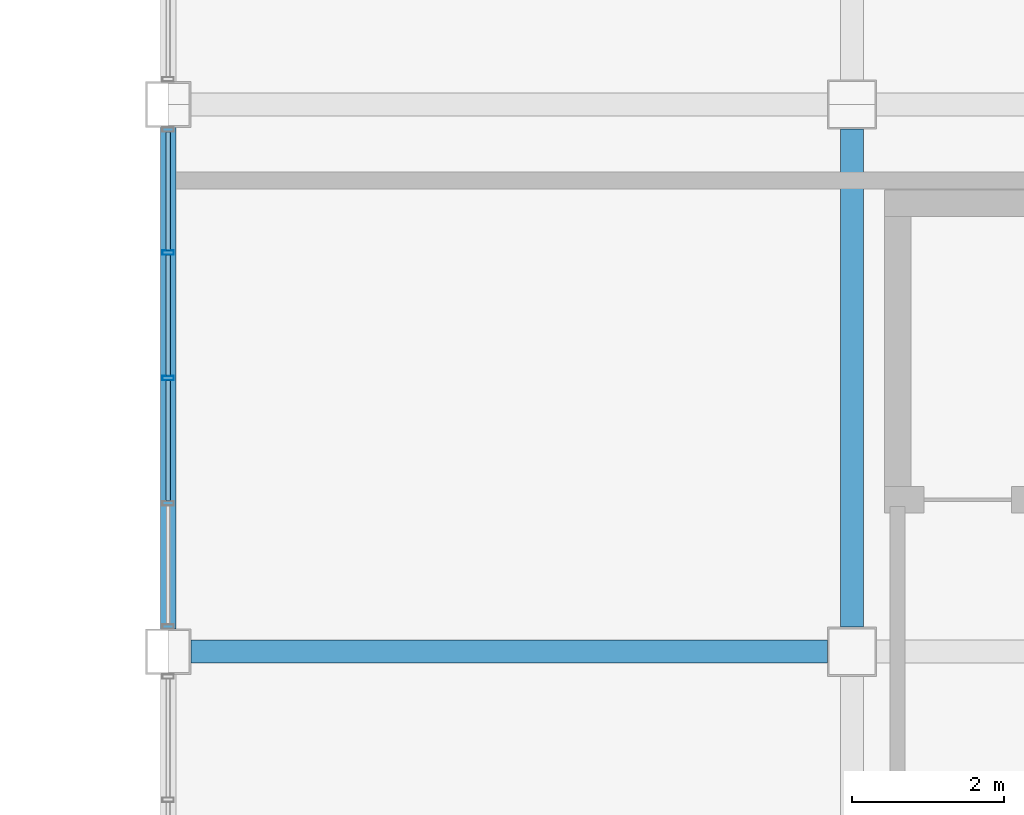
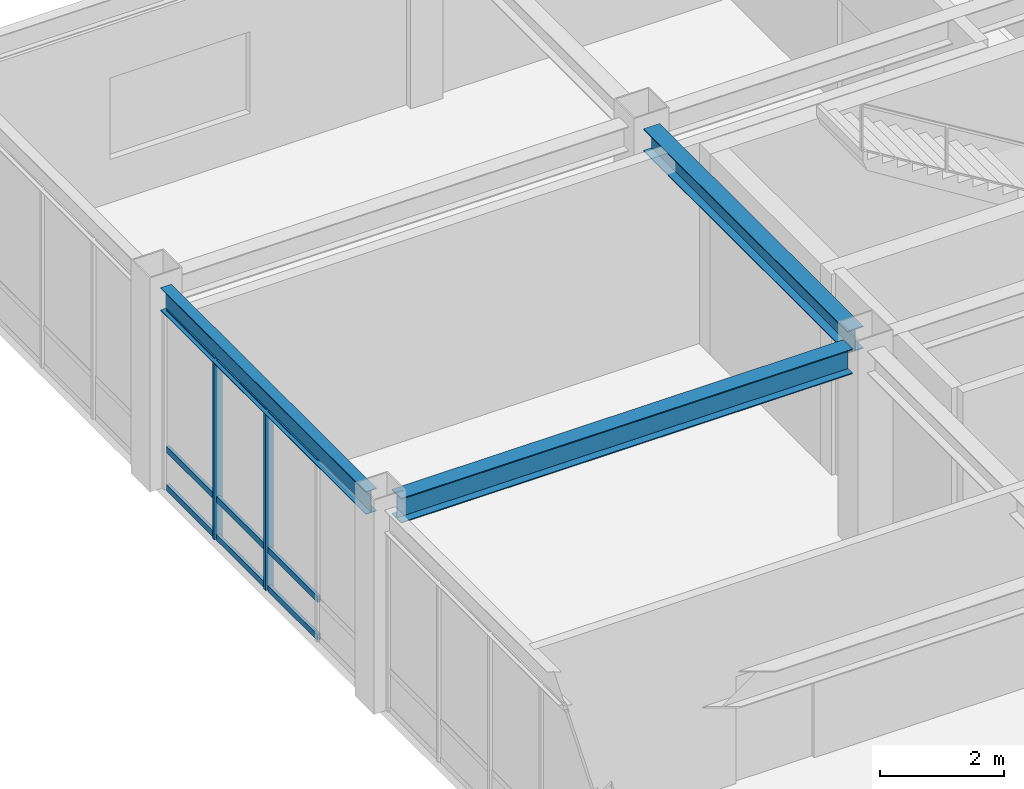
# One storey, part 53 of 106: 11 members, 3 beams, 1 element without a shape of its own.
"""IFC4 building model written with IfcOpenShell, lengths in metres."""

import ifcopenshell
import ifcopenshell.guid

model = None  # the IFC model being written
_history = None  # IfcOwnerHistory: only IFC2X3 demands one
_inside = {}  # id of a spatial element -> (the spatial element, [elements in it])
_under = {}  # id of a project, library or spatial element -> (it, [spatial elements below it])
_declared = {}  # id of a project -> (the project, [libraries it declares])
_typed = {}  # id of a type object -> (the type object, [elements of that type])
_made_of = {}  # id of a material, layer set ... -> (it, [elements and type objects made of it])


def new_model(schema):
    """Start an empty IFC model of exactly this schema.

    Asked for "IFC4X3", IfcOpenShell would pick the latest addendum, in which some entities
    have other attributes; the version numbers below select the first issue.
    IFC2X3 requires an IfcOwnerHistory on every rooted entity: one is made here for all.
    """
    global model, _history
    if schema == "IFC4X3":
        model = ifcopenshell.file(schema_version=(4, 3, 0, 0))
    else:
        model = ifcopenshell.file(schema=schema)
    _inside.clear()
    _under.clear()
    _declared.clear()
    _typed.clear()
    _made_of.clear()
    _history = None
    if model.schema == "IFC2X3":
        org = make("IfcOrganization", Name="unknown")
        user = make(
            "IfcPersonAndOrganization",
            ThePerson=make("IfcPerson", FamilyName="unknown"),
            TheOrganization=org,
        )
        app = make(
            "IfcApplication",
            ApplicationDeveloper=org,
            Version="unknown",
            ApplicationFullName="unknown",
            ApplicationIdentifier="unknown",
        )
        _history = make(
            "IfcOwnerHistory",
            OwningUser=user,
            OwningApplication=app,
            ChangeAction="ADDED",
            CreationDate=0,
        )
    return model


def make(cls, **values):
    """One entity of the class cls with the attributes given. An attribute that is None is left unset."""
    return model.create_entity(
        cls, **{name: value for name, value in values.items() if value is not None}
    )


def rooted(cls, **values):
    """An entity with a GlobalId (a new one), such as an element, a storey or a relation."""
    return make(cls, GlobalId=ifcopenshell.guid.new(), OwnerHistory=_history, **values)


def si_unit(unit_type, name, prefix=None):
    """IfcSIUnit, for example si_unit("LENGTHUNIT", "METRE", prefix="MILLI")."""
    return make("IfcSIUnit", UnitType=unit_type, Prefix=prefix, Name=name)


def assignment(units):
    """IfcUnitAssignment: the units of a project."""
    return None if units is None else make("IfcUnitAssignment", Units=units)


def point(xyz):
    """IfcCartesianPoint."""
    return None if xyz is None else make("IfcCartesianPoint", Coordinates=xyz)


def direction(xyz):
    """IfcDirection."""
    return None if xyz is None else make("IfcDirection", DirectionRatios=xyz)


def frame(location, z_axis=None, x_axis=None):
    """IfcAxis2Placement3D, a coordinate frame: its origin and axes. An axis left out is left unset."""
    return make(
        "IfcAxis2Placement3D",
        Location=point(location),
        Axis=direction(z_axis),
        RefDirection=direction(x_axis),
    )


def frame_2d(location, x_axis=None):
    """IfcAxis2Placement2D, a coordinate frame in the plane: its origin and x axis."""
    return make(
        "IfcAxis2Placement2D", Location=point(location), RefDirection=direction(x_axis)
    )


def origin():
    """The frame at (0, 0, 0) with its axes left unset."""
    return frame((0.0, 0.0, 0.0))


def origin_2d():
    """The frame at (0, 0) in the plane with its x axis left unset."""
    return frame_2d((0.0, 0.0))


def place(relative_to, where):
    """IfcLocalPlacement: puts the frame where relative to a parent placement (None: the world)."""
    return make(
        "IfcLocalPlacement", PlacementRelTo=relative_to, RelativePlacement=where
    )


def context(
    kind, dimensions, precision=None, world=None, true_north=None, identifier=None
):
    """IfcGeometricRepresentationContext, for example the 3D "Model" context."""
    return make(
        "IfcGeometricRepresentationContext",
        ContextIdentifier=identifier,
        ContextType=kind,
        CoordinateSpaceDimension=dimensions,
        Precision=precision,
        WorldCoordinateSystem=world,
        TrueNorth=true_north,
    )


def subcontext(parent, identifier, kind, view, scale=None):
    """IfcGeometricRepresentationSubContext, for example "Body" below "Model"."""
    return make(
        "IfcGeometricRepresentationSubContext",
        ContextIdentifier=identifier,
        ContextType=kind,
        ParentContext=parent,
        TargetScale=scale,
        TargetView=view,
    )


def project(units=None, contexts=None):
    """IfcProject with its units and contexts."""
    return rooted(
        "IfcProject",
        Name="project",
        RepresentationContexts=contexts,
        UnitsInContext=assignment(units),
    )


def spatial(cls, under=None, at=None, **own):
    """A site, building, storey or space (cls), placed at a placement, below another one or the project."""
    s = rooted(cls, ObjectPlacement=at, **own)
    if under is not None:
        _under.setdefault(under.id(), (under, []))[1].append(s)
    return s


def profile(cls, at=None, kind="AREA", **sizes):
    """A parametric profile (cls). Its sizes go by their IFC names, for example OverallWidth=200.0."""
    return make(cls, ProfileType=kind, Position=at, **sizes)


def hollow_rectangle(**sizes):
    """IfcRectangleHollowProfileDef."""
    return profile("IfcRectangleHollowProfileDef", **sizes)


def i_section(**sizes):
    """IfcIShapeProfileDef."""
    return profile("IfcIShapeProfileDef", **sizes)


def extrude(swept, where, along, depth):
    """IfcExtrudedAreaSolid: the profile swept, set in the frame where, extruded along a direction by depth."""
    return make(
        "IfcExtrudedAreaSolid",
        SweptArea=swept,
        Position=where,
        ExtrudedDirection=direction(along),
        Depth=depth,
    )


def shape(context_of_items, identifier, shape_type, items):
    """IfcShapeRepresentation: the items that make up one representation, for example the "Body"."""
    return make(
        "IfcShapeRepresentation",
        ContextOfItems=context_of_items,
        RepresentationIdentifier=identifier,
        RepresentationType=shape_type,
        Items=items,
    )


def material(Name=None, Category=None):
    """IfcMaterial."""
    return make("IfcMaterial", Name=Name, Category=Category)


def material_profile(
    of_material, cross_section, Name=None, Category=None, Priority=None
):
    """IfcMaterialProfile: a cross section and its material."""
    return make(
        "IfcMaterialProfile",
        Name=Name,
        Material=of_material,
        Profile=cross_section,
        Priority=Priority,
        Category=Category,
    )


def profile_set(profiles, Name=None, composite=None):
    """IfcMaterialProfileSet."""
    return make(
        "IfcMaterialProfileSet",
        Name=Name,
        MaterialProfiles=profiles,
        CompositeProfile=composite,
    )


def made_of(thing, what):
    """Note that an element or type object is made of a material, layer set ...; save() writes the relation."""
    if what is not None:
        _made_of.setdefault(what.id(), (what, []))[1].append(thing)
    return thing


def type_object(cls, material=None, **own):
    """A type object (cls), such as IfcWallType, which elements share."""
    return made_of(rooted(cls, **own), material)


def element(
    cls,
    number,
    at=None,
    inside=None,
    cuts=None,
    type_object=None,
    material=None,
    context=None,
    identifier="Body",
    shape_type=None,
    held_by="IfcProductDefinitionShape",
    body=None,
    shapes=None,
    **own,
):
    """One element of the class cls, such as IfcWall. Its Tag is "e" and its number.

    at: its placement. inside: the storey or other place that contains it. cuts: it is an
    opening in that element (IfcRelVoidsElement). A single representation is given by context,
    identifier, shape_type and body (its items); several are given by shapes. held_by: the class
    of the entity that holds the representations. save() writes the other relations.
    """
    e = rooted(cls, Tag="e%d" % number, ObjectPlacement=at, **own)
    if body is not None:
        shapes = [shape(context, identifier, shape_type, body)]
    if shapes is not None:
        e.Representation = make(held_by, Representations=shapes)
    if inside is not None:
        _inside.setdefault(inside.id(), (inside, []))[1].append(e)
    if cuts is not None:
        rooted(
            "IfcRelVoidsElement", RelatingBuildingElement=cuts, RelatedOpeningElement=e
        )
    if type_object is not None:
        _typed.setdefault(type_object.id(), (type_object, []))[1].append(e)
    return made_of(e, material)


def aggregate(whole, parts):
    """IfcRelAggregates: a whole, such as a stair, and the parts it consists of."""
    return rooted("IfcRelAggregates", RelatingObject=whole, RelatedObjects=parts)


def save(model, path):
    """Write the relations noted so far, then the file.

    IfcRelAggregates (storeys below a building ...), IfcRelContainedInSpatialStructure (elements
    in a storey), IfcRelDefinesByType, IfcRelAssociatesMaterial and IfcRelDeclares: one each for
    every whole, place, type object, material and project.
    """
    for whole, parts in _under.values():
        aggregate(whole, parts)
    for where, things in _inside.values():
        rooted(
            "IfcRelContainedInSpatialStructure",
            RelatedElements=things,
            RelatingStructure=where,
        )
    for kind, things in _typed.values():
        rooted("IfcRelDefinesByType", RelatedObjects=things, RelatingType=kind)
    for what, things in _made_of.values():
        rooted("IfcRelAssociatesMaterial", RelatedObjects=things, RelatingMaterial=what)
    for by, libraries in _declared.values():
        rooted("IfcRelDeclares", RelatingContext=by, RelatedDefinitions=libraries)
    model.write(path)


model = new_model("IFC4")

# Units and contexts
model_context = context("Model", 3, precision=1e-05, world=origin(), true_north=direction((0.0, 1.0)))
body_context = subcontext(model_context, "Body", "Model", "MODEL_VIEW")
ifc_project = project(units=[si_unit("LENGTHUNIT", "METRE"), si_unit("AREAUNIT", "SQUARE_METRE"), si_unit("VOLUMEUNIT", "CUBIC_METRE"), si_unit("PLANEANGLEUNIT", "RADIAN"), si_unit("MASSUNIT", "GRAM", prefix="KILO")], contexts=[model_context])

# Site, building, storey
site_placement = place(None, origin())
site = spatial("IfcSite", under=ifc_project, at=site_placement, CompositionType="ELEMENT")
building_placement = place(site_placement, origin())
building = spatial("IfcBuilding", under=site, at=building_placement, Name="Kazanami Central Library", CompositionType="ELEMENT")
storey_placement = place(building_placement, frame((0.0, 0.0, 12.800048828125)))
storey = spatial("IfcBuildingStorey", under=building, at=storey_placement, Name="L04", CompositionType="ELEMENT", Elevation=12.800048828125)

# Beams
ifc_material_1 = material(Name="Steel SN490B (325 MPa)", Category="steel")
ifc_material_profile_1 = material_profile(ifc_material_1, i_section(OverallWidth=0.300048828125, OverallDepth=0.488037109375, WebThickness=0.010986328125, FlangeThickness=0.01806640625, at=origin_2d()), Name="H-488x300x11x18")
ifc_profile_set_1 = profile_set([ifc_material_profile_1], Name="Steel SN490B (325 MPa)")
beam_type_1 = type_object("IfcBeamType", Name="BM-G-X5", PredefinedType="BEAM", material=ifc_profile_set_1)
beam_1_placement = place(storey_placement, frame((117.298095703125, 79.199951171875, 3.696044921875), z_axis=(1.0, 0.0, 0.0), x_axis=(0.0, 1.0, 0.0)))
element("IfcBeam", 1, at=beam_1_placement, inside=storey, type_object=beam_type_1, Name="Girder G-X5 L04 M/14-15", PredefinedType="BEAM", context=body_context, shape_type="SweptSolid", body=[
    extrude(i_section(OverallWidth=0.300048828125, OverallDepth=0.488037109375, WebThickness=0.010986328125, FlangeThickness=0.01806640625, at=origin_2d()), origin(), (0.0, 0.0, 1.0), 8.37890625),
])
ifc_material_profile_2 = material_profile(ifc_material_1, i_section(OverallWidth=0.300048828125, OverallDepth=0.43994140625, WebThickness=0.010986328125, FlangeThickness=0.01806640625, at=origin_2d()), Name="H-440x300x11x18")
ifc_profile_set_2 = profile_set([ifc_material_profile_2], Name="Steel SN490B (325 MPa)")
beam_type_2 = type_object("IfcBeamType", Name="BM-G-Y4", PredefinedType="BEAM", material=ifc_profile_set_2)
beam_2_placement = place(storey_placement, frame((126.0, 79.52294921875, 3.719970703125), z_axis=(0.0, 1.0, 0.0), x_axis=(-1.0, 0.0, 0.0)))
element("IfcBeam", 2, at=beam_2_placement, inside=storey, type_object=beam_type_2, Name="Girder G-Y4 L04 15/M-N", PredefinedType="BEAM", context=body_context, shape_type="SweptSolid", body=[
    extrude(i_section(OverallWidth=0.300048828125, OverallDepth=0.43994140625, WebThickness=0.010986328125, FlangeThickness=0.01806640625, at=origin_2d()), origin(), (0.0, 0.0, 1.0), 6.553955078125),
])
ifc_material_profile_3 = material_profile(ifc_material_1, i_section(OverallWidth=0.199951171875, OverallDepth=0.449951171875, WebThickness=0.009033203125, FlangeThickness=0.013916015625, at=origin_2d()), Name="H-450x200x9x14")
ifc_profile_set_3 = profile_set([ifc_material_profile_3], Name="Steel SN490B (325 MPa)")
beam_type_3 = type_object("IfcBeamType", Name="BM-SP-2", PredefinedType="SPANDREL", material=ifc_profile_set_3)
beam_3_placement = place(storey_placement, frame((117.0, 79.498046875, 3.71484375), z_axis=(0.0, 1.0, 0.0), x_axis=(-1.0, 0.0, 0.0)))
element("IfcBeam", 3, at=beam_3_placement, inside=storey, type_object=beam_type_3, Name="Girder SP-2 L04 14/M-N", PredefinedType="SPANDREL", context=body_context, shape_type="SweptSolid", body=[
    extrude(i_section(OverallWidth=0.199951171875, OverallDepth=0.449951171875, WebThickness=0.009033203125, FlangeThickness=0.013916015625, at=origin_2d()), origin(), (0.0, 0.0, 1.0), 6.60400390625),
])

# Curtain wall, members
ifc_material_2 = material(Name="Acid-Etched Low-E Laminated Glass", Category="glass")
curtain_wall_type = type_object("IfcCurtainWallType", Name="CW-6600x3490-M180", PredefinedType="USERDEFINED", material=ifc_material_2)
curtain_wall_placement = place(storey_placement, origin())
curtain_wall = element("IfcCurtainWall", 4, at=curtain_wall_placement, inside=storey, type_object=curtain_wall_type, Name="Covered Link Bridge Curtain Wall CW-48 L04 W-14-11", ObjectType="UNITISED CURTAIN WALL", PredefinedType="USERDEFINED")
ifc_material_3 = material(Name="Anodised Aluminium A6063-T5", Category="aluminium")
ifc_material_profile_4 = material_profile(ifc_material_3, hollow_rectangle(XDim=0.06005859375, YDim=0.14990234375, WallThickness=0.00390625, at=origin_2d()), Name="ALU-MULL-60x150x4")
ifc_profile_set_4 = profile_set([ifc_material_profile_4], Name="Anodised Aluminium A6063-T5")
member_type_1 = type_object("IfcMemberType", Name="MEM-CW-M3", PredefinedType="MULLION", material=ifc_profile_set_4)
member_1_placement = place(storey_placement, frame((117.0, 82.800048828125, 0.0), z_axis=(0.0, 0.0, 1.0), x_axis=(0.0, 1.0, 0.0)))
member_1 = element("IfcMember", 5, at=member_1_placement, type_object=member_type_1, Name="CW-48 mullion 3", PredefinedType="MULLION", context=body_context, shape_type="SweptSolid", body=[
    extrude(hollow_rectangle(XDim=0.06005859375, YDim=0.14990234375, WallThickness=0.00390625, at=origin_2d()), origin(), (0.0, 0.0, 1.0), 3.489990234375),
])
member_2_placement = place(storey_placement, frame((117.0, 84.449951171875, 0.0), z_axis=(0.0, 0.0, 1.0), x_axis=(0.0, 1.0, 0.0)))
member_2 = element("IfcMember", 6, at=member_2_placement, type_object=member_type_1, Name="CW-48 mullion 4", PredefinedType="MULLION", context=body_context, shape_type="SweptSolid", body=[
    extrude(hollow_rectangle(XDim=0.06005859375, YDim=0.14990234375, WallThickness=0.00390625, at=origin_2d()), origin(), (0.0, 0.0, 1.0), 3.489990234375),
])
ifc_material_profile_5 = material_profile(ifc_material_3, hollow_rectangle(XDim=0.06005859375, YDim=0.1201171875, WallThickness=0.00341796875, at=origin_2d()), Name="ALU-TRAN-60x120x3.5")
ifc_profile_set_5 = profile_set([ifc_material_profile_5], Name="Anodised Aluminium A6063-T5")
member_type_2 = type_object("IfcMemberType", Name="MEM-CW-T3", PredefinedType="USERDEFINED", material=ifc_profile_set_5)
member_3_placement = place(storey_placement, frame((117.0, 81.179931640625, 0.030029296875), z_axis=(0.0, 1.0, 0.0), x_axis=(-1.0, 0.0, 0.0)))
member_3 = element("IfcMember", 7, at=member_3_placement, type_object=member_type_2, Name="CW-48 transom 2.1", ObjectType="TRANSOM", PredefinedType="USERDEFINED", context=body_context, shape_type="SweptSolid", body=[
    extrude(hollow_rectangle(XDim=0.06005859375, YDim=0.1201171875, WallThickness=0.00341796875, at=origin_2d()), origin(), (0.0, 0.0, 1.0), 1.590087890625),
])
member_4_placement = place(storey_placement, frame((117.0, 81.179931640625, 0.780029296875), z_axis=(0.0, 1.0, 0.0), x_axis=(-1.0, 0.0, 0.0)))
member_4 = element("IfcMember", 8, at=member_4_placement, type_object=member_type_2, Name="CW-48 transom 2.2", ObjectType="TRANSOM", PredefinedType="USERDEFINED", context=body_context, shape_type="SweptSolid", body=[
    extrude(hollow_rectangle(XDim=0.06005859375, YDim=0.1201171875, WallThickness=0.00341796875, at=origin_2d()), origin(), (0.0, 0.0, 1.0), 1.590087890625),
])
member_5_placement = place(storey_placement, frame((117.0, 81.179931640625, 3.4599609375), z_axis=(0.0, 1.0, 0.0), x_axis=(-1.0, 0.0, 0.0)))
member_5 = element("IfcMember", 9, at=member_5_placement, type_object=member_type_2, Name="CW-48 transom 2.3", ObjectType="TRANSOM", PredefinedType="USERDEFINED", context=body_context, shape_type="SweptSolid", body=[
    extrude(hollow_rectangle(XDim=0.06005859375, YDim=0.1201171875, WallThickness=0.00341796875, at=origin_2d()), origin(), (0.0, 0.0, 1.0), 1.590087890625),
])
member_6_placement = place(storey_placement, frame((117.0, 82.830078125, 0.030029296875), z_axis=(0.0, 1.0, 0.0), x_axis=(-1.0, 0.0, 0.0)))
member_6 = element("IfcMember", 10, at=member_6_placement, type_object=member_type_2, Name="CW-48 transom 3.1", ObjectType="TRANSOM", PredefinedType="USERDEFINED", context=body_context, shape_type="SweptSolid", body=[
    extrude(hollow_rectangle(XDim=0.06005859375, YDim=0.1201171875, WallThickness=0.00341796875, at=origin_2d()), origin(), (0.0, 0.0, 1.0), 1.58984375),
])
member_7_placement = place(storey_placement, frame((117.0, 82.830078125, 0.780029296875), z_axis=(0.0, 1.0, 0.0), x_axis=(-1.0, 0.0, 0.0)))
member_7 = element("IfcMember", 11, at=member_7_placement, type_object=member_type_2, Name="CW-48 transom 3.2", ObjectType="TRANSOM", PredefinedType="USERDEFINED", context=body_context, shape_type="SweptSolid", body=[
    extrude(hollow_rectangle(XDim=0.06005859375, YDim=0.1201171875, WallThickness=0.00341796875, at=origin_2d()), origin(), (0.0, 0.0, 1.0), 1.58984375),
])
member_8_placement = place(storey_placement, frame((117.0, 82.830078125, 3.4599609375), z_axis=(0.0, 1.0, 0.0), x_axis=(-1.0, 0.0, 0.0)))
member_8 = element("IfcMember", 12, at=member_8_placement, type_object=member_type_2, Name="CW-48 transom 3.3", ObjectType="TRANSOM", PredefinedType="USERDEFINED", context=body_context, shape_type="SweptSolid", body=[
    extrude(hollow_rectangle(XDim=0.06005859375, YDim=0.1201171875, WallThickness=0.00341796875, at=origin_2d()), origin(), (0.0, 0.0, 1.0), 1.58984375),
])
member_9_placement = place(storey_placement, frame((117.0, 84.47998046875, 0.030029296875), z_axis=(0.0, 1.0, 0.0), x_axis=(-1.0, 0.0, 0.0)))
member_9 = element("IfcMember", 13, at=member_9_placement, type_object=member_type_2, Name="CW-48 transom 4.1", ObjectType="TRANSOM", PredefinedType="USERDEFINED", context=body_context, shape_type="SweptSolid", body=[
    extrude(hollow_rectangle(XDim=0.06005859375, YDim=0.1201171875, WallThickness=0.00341796875, at=origin_2d()), origin(), (0.0, 0.0, 1.0), 1.56005859375),
])
member_10_placement = place(storey_placement, frame((117.0, 84.47998046875, 0.780029296875), z_axis=(0.0, 1.0, 0.0), x_axis=(-1.0, 0.0, 0.0)))
member_10 = element("IfcMember", 14, at=member_10_placement, type_object=member_type_2, Name="CW-48 transom 4.2", ObjectType="TRANSOM", PredefinedType="USERDEFINED", context=body_context, shape_type="SweptSolid", body=[
    extrude(hollow_rectangle(XDim=0.06005859375, YDim=0.1201171875, WallThickness=0.00341796875, at=origin_2d()), origin(), (0.0, 0.0, 1.0), 1.56005859375),
])
member_11_placement = place(storey_placement, frame((117.0, 84.47998046875, 3.4599609375), z_axis=(0.0, 1.0, 0.0), x_axis=(-1.0, 0.0, 0.0)))
member_11 = element("IfcMember", 15, at=member_11_placement, type_object=member_type_2, Name="CW-48 transom 4.3", ObjectType="TRANSOM", PredefinedType="USERDEFINED", context=body_context, shape_type="SweptSolid", body=[
    extrude(hollow_rectangle(XDim=0.06005859375, YDim=0.1201171875, WallThickness=0.00341796875, at=origin_2d()), origin(), (0.0, 0.0, 1.0), 1.56005859375),
])
aggregate(curtain_wall, [member_1, member_2, member_3, member_4, member_5, member_6, member_7, member_8, member_9, member_10, member_11])

save(model, "model.ifc")
